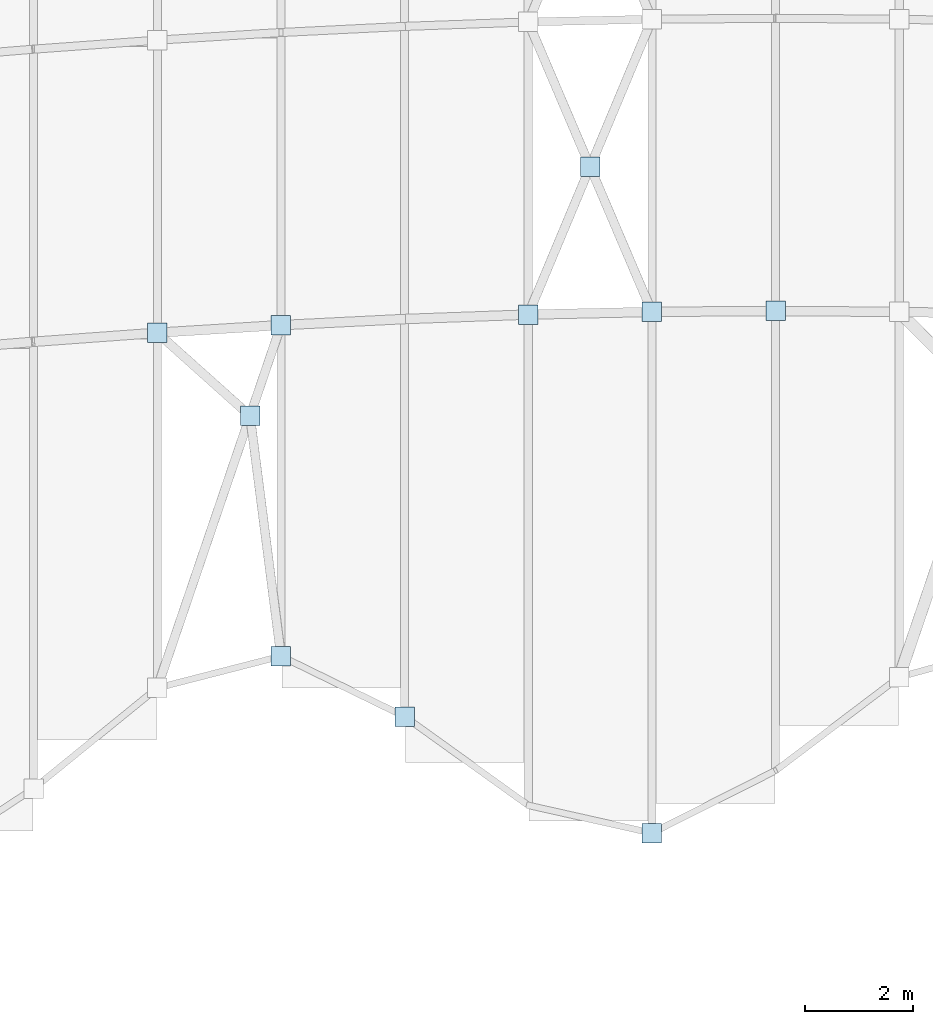
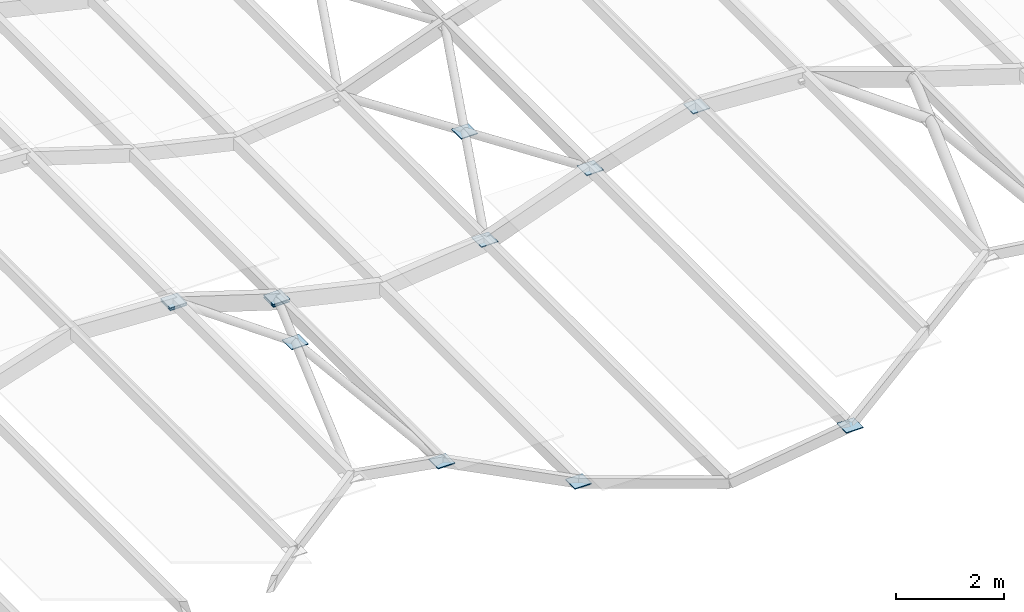
# One storey, part 46 of 79: 12 plates.
"""IFC4 building model written with IfcOpenShell, lengths in metres."""

from ifc_helpers import new_model, si_unit, direction, frame, origin, origin_2d, place, context, subcontext, project, spatial, rectangle, extrude, material, layer, layer_set, type_object, element, save


model = new_model("IFC4")

# Units and contexts
model_context = context("Model", 3, precision=1e-05, world=origin(), true_north=direction((0.0, 1.0)))
body_context = subcontext(model_context, "Body", "Model", "MODEL_VIEW")
ifc_project = project(units=[si_unit("LENGTHUNIT", "METRE"), si_unit("AREAUNIT", "SQUARE_METRE"), si_unit("VOLUMEUNIT", "CUBIC_METRE"), si_unit("PLANEANGLEUNIT", "RADIAN"), si_unit("MASSUNIT", "GRAM", prefix="KILO")], contexts=[model_context])

# Site, building, storey
site_placement = place(None, origin())
site = spatial("IfcSite", under=ifc_project, at=site_placement, CompositionType="ELEMENT")
building_placement = place(site_placement, origin())
building = spatial("IfcBuilding", under=site, at=building_placement, Name="Kolvaren Faculty of Natural Sciences", CompositionType="ELEMENT")
storey_placement = place(building_placement, frame((0.0, 0.0, 10.199951171875)))
storey = spatial("IfcBuildingStorey", under=building, at=storey_placement, Name="L02", CompositionType="ELEMENT", Elevation=10.199951171875)

# Plates
ifc_material = material(Name="Structural steel EN 10025-2 S355J2 (white architectural finish)", Category="steel")
ifc_layer = layer(ifc_material, 0.02001953125)
ifc_layer_set = layer_set([ifc_layer], Name="Structural steel EN 10025-2 S355J2 (white architectural finish)")
plate_type = type_object("IfcPlateType", Name="BranchTipCollarPlate_TN3", PredefinedType="USERDEFINED", material=ifc_layer_set)
for number, where, z_axis, x_axis, name in (
    (1, (51.69091796875, 51.047119140625, 3.7548828125), (0.0, 0.0, 1.0), (1.0, 0.0, 0.0), "Steel tree TREE-01 branch tip collar node TN3"),
    (2, (53.97265625, 51.18798828125, 2.948974609375), (0.0, 0.0, 1.0), (1.0, 0.0, 0.0), "Steel tree TREE-01 branch tip collar node TN3"),
    (3, (56.25439453125, 43.965087890625, 2.41552734375), (0.0, 0.0, 1.0), (1.0, 0.0, 0.0), "Steel tree TREE-01 branch tip collar node TN3"),
    (4, (60.818115234375, 41.814697265625, 3.388671875), (0.0, 0.0, 1.0), (1.0, 0.0, 0.0), "Steel tree TREE-03 branch tip collar node TN3"),
    (5, (63.10009765625, 51.449951171875, 3.9609375), (0.0, 0.0, 1.0), (1.0, 0.0, 0.0), "Steel tree TREE-03 branch tip collar node TN3"),
    (6, (53.40234375, 49.514404296875, 3.200439453125), (0.0, 0.0, 1.0), (1.0, 0.0, 0.0), "Canopy X-brace crossing gusset plate S1-7-0"),
    (7, (53.97265625, 51.18798828125, 2.9990234375), (0.0, 0.0, 1.0), (1.0, 0.0, 0.0), "Canopy X-brace end gusset plate S1-7-2"),
    (8, (51.69091796875, 51.047119140625, 3.804931640625), (0.0, 0.0, 1.0), (1.0, 0.0, 0.0), "Canopy X-brace end gusset plate S1-7-3"),
    (9, (53.97265625, 45.0791015625, 2.9990234375), (0.0, 0.0, 1.0), (1.0, 0.0, 0.0), "Canopy X-brace end gusset plate S1-7-4"),
    (10, (59.67724609375, 54.108154296875, 2.97900390625), (0.0, 0.0, 1.0), (1.0, 0.0, 0.0), "Canopy X-brace crossing gusset plate S2-10-0"),
    (11, (58.536376953125, 51.38330078125, 2.584228515625), (0.0, 0.0, 1.0), (1.0, 0.0, 0.0), "Canopy X-brace end gusset plate S2-10-1"),
    (12, (60.818115234375, 51.43310546875, 3.37353515625), (0.0, 0.0, 1.0), (1.0, 0.0, 0.0), "Canopy X-brace end gusset plate S2-10-4"),
):
    element("IfcPlate", number, at=place(storey_placement, frame(where, z_axis=z_axis, x_axis=x_axis)), inside=storey, type_object=plate_type, Name=name, ObjectType="GUSSET PLATE", PredefinedType="USERDEFINED", context=body_context, shape_type="SweptSolid", body=[
        extrude(rectangle(XDim=0.360107421875, YDim=0.360107421875, at=origin_2d()), origin(), (0.0, 0.0, 1.0), 0.02001953125),
    ])

save(model, "model.ifc")
